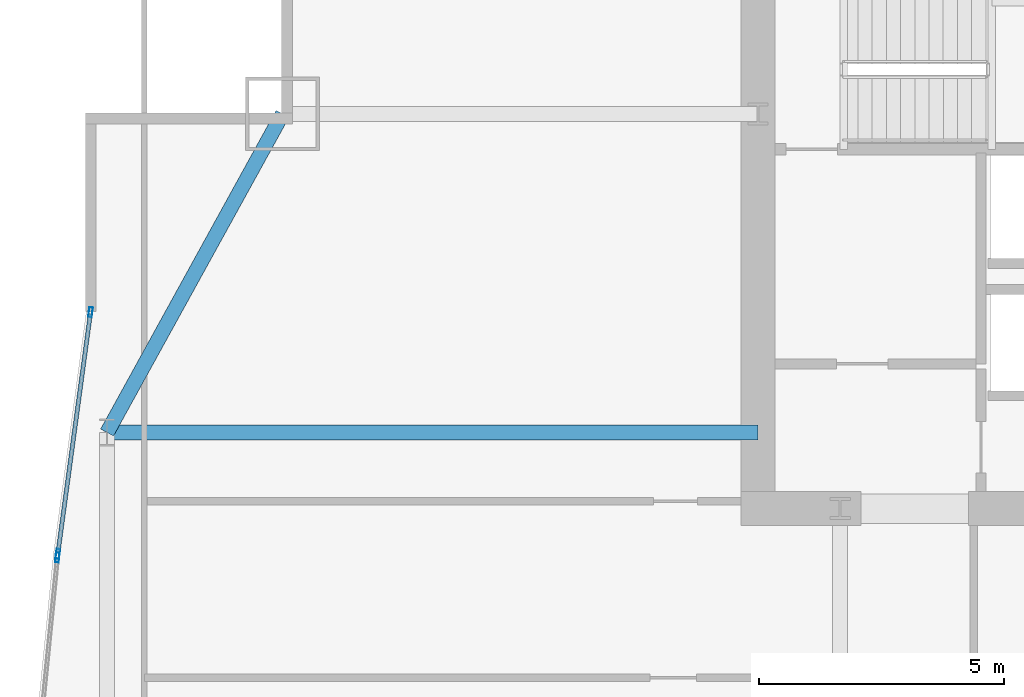
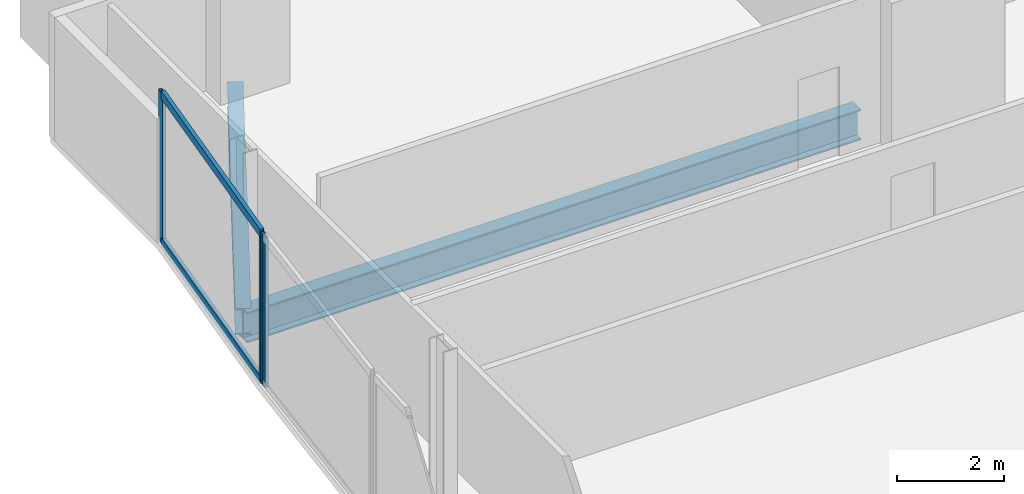
# One storey, part 17 of 32: 5 members, 2 beams, 2 elements without a shape of their own.
"""IFC4 building model written with IfcOpenShell, lengths in metres."""

from ifc_helpers import new_model, si_unit, direction, frame, origin, origin_2d, place, context, subcontext, project, spatial, hollow_rectangle, i_section, extrude, material, material_profile, profile_set, type_object, element, aggregate, save


model = new_model("IFC4")

# Units and contexts
model_context = context("Model", 3, precision=1e-05, world=origin(), true_north=direction((0.0, 1.0)))
body_context = subcontext(model_context, "Body", "Model", "MODEL_VIEW")
ifc_project = project(units=[si_unit("LENGTHUNIT", "METRE"), si_unit("AREAUNIT", "SQUARE_METRE"), si_unit("VOLUMEUNIT", "CUBIC_METRE"), si_unit("PLANEANGLEUNIT", "RADIAN"), si_unit("MASSUNIT", "GRAM", prefix="KILO")], contexts=[model_context])

# Site, building, storey
site_placement = place(None, origin())
site = spatial("IfcSite", under=ifc_project, at=site_placement, CompositionType="ELEMENT")
building_placement = place(site_placement, origin())
building = spatial("IfcBuilding", under=site, at=building_placement, Name="Khoronbel Lancet Exchange", CompositionType="ELEMENT")
storey_placement = place(building_placement, frame((0.0, 0.0, 125.39990234375)))
storey = spatial("IfcBuildingStorey", under=building, at=storey_placement, Name="L30", CompositionType="ELEMENT", Elevation=125.39990234375)

# Beams
ifc_material_1 = material(Name="Steel S355", Category="steel")
ifc_material_profile_1 = material_profile(ifc_material_1, i_section(OverallWidth=0.300048828125, OverallDepth=0.699951171875, WebThickness=0.01708984375, FlangeThickness=0.031982421875, at=origin_2d()), Name="HEB 700")
ifc_profile_set_1 = profile_set([ifc_material_profile_1], Name="Steel S355")
beam_type_1 = type_object("IfcBeamType", Name="BM-BG3", PredefinedType="BEAM", material=ifc_profile_set_1)
beam_1_placement = place(storey_placement, frame((3.27001953125, 43.199951171875, -0.510009765625), z_axis=(1.0, 0.0, 0.0), x_axis=(0.0, 1.0, 0.0)))
element("IfcBeam", 1, at=beam_1_placement, inside=storey, type_object=beam_type_1, Name="Level L30 west lens tie girder LG3W", PredefinedType="BEAM", context=body_context, shape_type="SweptSolid", body=[
    extrude(i_section(OverallWidth=0.300048828125, OverallDepth=0.699951171875, WebThickness=0.01708984375, FlangeThickness=0.031982421875, at=origin_2d()), origin(), (0.0, 0.0, 1.0), 13.280029296875),
])
ifc_material_profile_2 = material_profile(ifc_material_1, i_section(OverallWidth=0.300048828125, OverallDepth=0.60009765625, WebThickness=0.015380859375, FlangeThickness=0.030029296875, at=origin_2d()), Name="HEB 600")
ifc_profile_set_2 = profile_set([ifc_material_profile_2], Name="Steel S355")
beam_type_2 = type_object("IfcBeamType", Name="BM-BSP2", PredefinedType="SPANDREL", material=ifc_profile_set_2)
beam_2_placement = place(storey_placement, frame((6.85009765625, 49.699951171875, -0.4599609375), z_axis=(-0.482444051088, -0.875926787791, 0.0), x_axis=(0.875926787791, -0.482444051088, 0.0)))
element("IfcBeam", 2, at=beam_2_placement, inside=storey, type_object=beam_type_2, Name="Level L30 perimeter spandrel beam SP16", PredefinedType="SPANDREL", context=body_context, shape_type="SweptSolid", body=[
    extrude(i_section(OverallWidth=0.300048828125, OverallDepth=0.60009765625, WebThickness=0.015380859375, FlangeThickness=0.030029296875, at=origin_2d()), origin(), (0.0, 0.0, 1.0), 7.420654296875),
])

# Curtain wall, member
ifc_material_2 = material(Name="Low-E Solar Control Insulating Glass", Category="glass")
curtain_wall_type = type_object("IfcCurtainWallType", Name="CW-4", PredefinedType="NOTDEFINED", material=ifc_material_2)
curtain_wall_1_placement = place(storey_placement, origin())
curtain_wall_1 = element("IfcCurtainWall", 3, at=curtain_wall_1_placement, inside=storey, type_object=curtain_wall_type, Name="Unitised curtain wall CW-L30-E08", PredefinedType="NOTDEFINED")
ifc_material_3 = material(Name="Bronze-Anodised Aluminium 6063-T6", Category="aluminium")
ifc_material_profile_3 = material_profile(ifc_material_3, hollow_rectangle(XDim=0.074951171875, YDim=0.199951171875, WallThickness=0.0048828125, at=origin_2d()), Name="ALU MULLION 75x200")
ifc_profile_set_3 = profile_set([ifc_material_profile_3], Name="Bronze-Anodised Aluminium 6063-T6")
member_type_1 = type_object("IfcMemberType", Name="MEM-CWM2", PredefinedType="MULLION", material=ifc_profile_set_3)
member_1_placement = place(storey_placement, frame((2.258056640625, 40.652099609375, 0.0), z_axis=(0.0, 0.0, 1.0), x_axis=(-0.99511302808, 0.098742398922, 0.0)))
member_1 = element("IfcMember", 4, at=member_1_placement, type_object=member_type_1, Name="CW4 mullion 2", PredefinedType="MULLION", context=body_context, shape_type="SweptSolid", body=[
    extrude(hollow_rectangle(XDim=0.074951171875, YDim=0.199951171875, WallThickness=0.0048828125, at=origin_2d()), origin(), (0.0, 0.0, 1.0), 3.440185546875),
])
aggregate(curtain_wall_1, [member_1])

# Curtain wall, members
curtain_wall_2_placement = place(storey_placement, origin())
curtain_wall_2 = element("IfcCurtainWall", 5, at=curtain_wall_2_placement, inside=storey, type_object=curtain_wall_type, Name="Unitised curtain wall CW-L30-E09", PredefinedType="NOTDEFINED")
member_2_placement = place(storey_placement, frame((2.266845703125, 40.7265625, 0.0), z_axis=(0.0, 0.0, 1.0), x_axis=(-0.990939013148, 0.134312591445, 0.0)))
member_2 = element("IfcMember", 6, at=member_2_placement, type_object=member_type_1, Name="CW4 mullion 1", PredefinedType="MULLION", context=body_context, shape_type="SweptSolid", body=[
    extrude(hollow_rectangle(XDim=0.074951171875, YDim=0.199951171875, WallThickness=0.0048828125, at=origin_2d()), origin(), (0.0, 0.0, 1.0), 3.440185546875),
])
member_3_placement = place(storey_placement, frame((2.93505859375, 45.65673828125, 0.0), z_axis=(0.0, 0.0, 1.0), x_axis=(-0.990939013148, 0.134312591445, 0.0)))
member_3 = element("IfcMember", 7, at=member_3_placement, type_object=member_type_1, Name="CW4 mullion 2", PredefinedType="MULLION", context=body_context, shape_type="SweptSolid", body=[
    extrude(hollow_rectangle(XDim=0.074951171875, YDim=0.199951171875, WallThickness=0.0048828125, at=origin_2d()), origin(), (0.0, 0.0, 1.0), 3.440185546875),
])
ifc_material_profile_4 = material_profile(ifc_material_3, hollow_rectangle(XDim=0.0849609375, YDim=0.179931640625, WallThickness=0.0048828125, at=origin_2d()), Name="ALU TRANSOM 85x180")
ifc_profile_set_4 = profile_set([ifc_material_profile_4], Name="Bronze-Anodised Aluminium 6063-T6")
member_type_2 = type_object("IfcMemberType", Name="MEM-CWT1", PredefinedType="USERDEFINED", material=ifc_profile_set_4)
member_4_placement = place(storey_placement, frame((2.271728515625, 40.763916015625, 0.04248046875), z_axis=(0.134323870368, 0.99093748433, 0.0), x_axis=(-0.99093748433, 0.134323870368, 0.0)))
member_4 = element("IfcMember", 8, at=member_4_placement, type_object=member_type_2, Name="CW4 transom 1.1", ObjectType="TRANSOM", PredefinedType="USERDEFINED", context=body_context, shape_type="SweptSolid", body=[
    extrude(hollow_rectangle(XDim=0.0849609375, YDim=0.179931640625, WallThickness=0.0048828125, at=origin_2d()), origin(), (0.0, 0.0, 1.0), 4.900146484375),
])
member_5_placement = place(storey_placement, frame((2.271728515625, 40.763916015625, 3.397705078125), z_axis=(0.134323870368, 0.99093748433, 0.0), x_axis=(-0.99093748433, 0.134323870368, 0.0)))
member_5 = element("IfcMember", 9, at=member_5_placement, type_object=member_type_2, Name="CW4 transom 1.2", ObjectType="TRANSOM", PredefinedType="USERDEFINED", context=body_context, shape_type="SweptSolid", body=[
    extrude(hollow_rectangle(XDim=0.0849609375, YDim=0.179931640625, WallThickness=0.0048828125, at=origin_2d()), origin(), (0.0, 0.0, 1.0), 4.900146484375),
])
aggregate(curtain_wall_2, [member_2, member_3, member_4, member_5])

save(model, "model.ifc")
